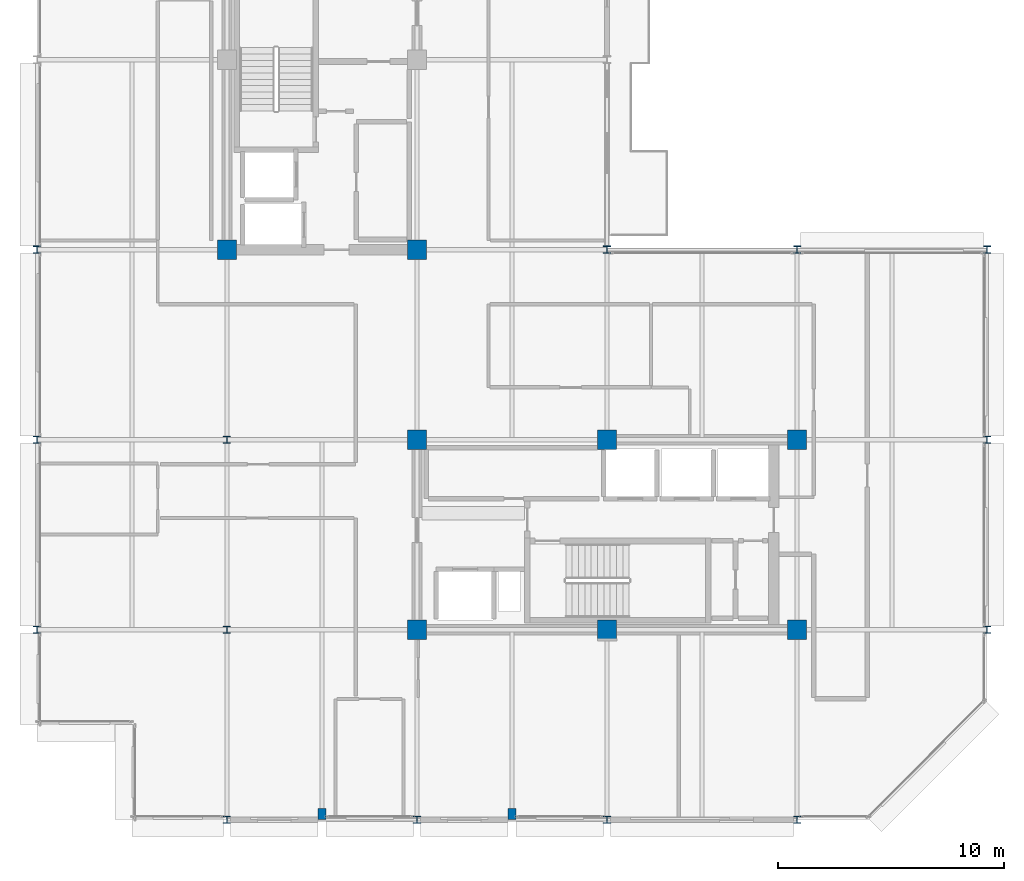
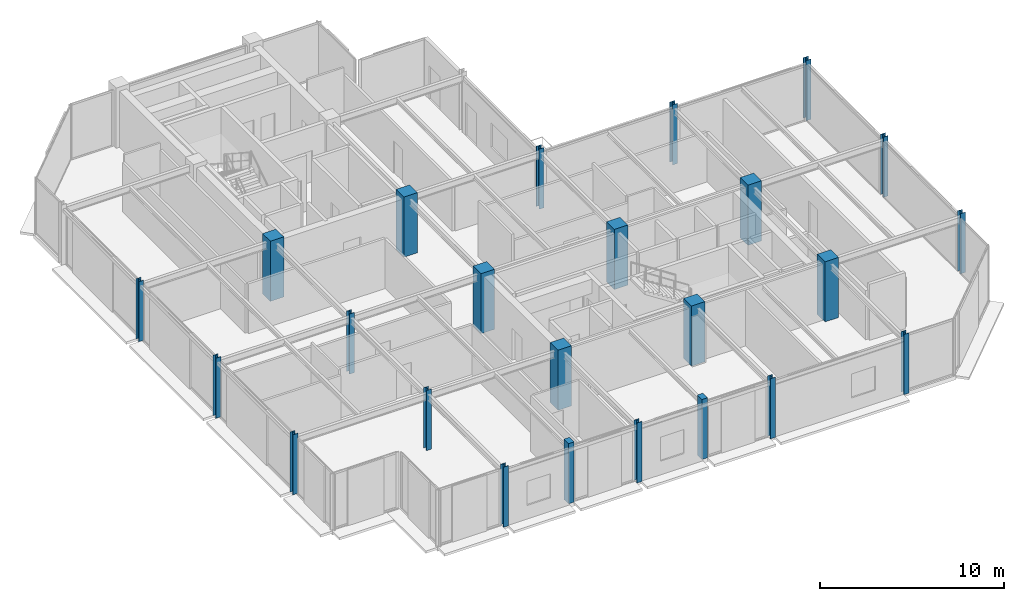
# One storey, part 1 of 27: 24 columns.
"""IFC4 building model written with IfcOpenShell, lengths in metres."""

from ifc_helpers import new_model, si_unit, direction, frame, origin, origin_2d, place, context, subcontext, project, spatial, rectangle, i_section, extrude, material, material_profile, profile_set, type_object, element, save


model = new_model("IFC4")

# Units and contexts
model_context = context("Model", 3, precision=1e-05, world=origin(), true_north=direction((0.0, 1.0)))
body_context = subcontext(model_context, "Body", "Model", "MODEL_VIEW")
ifc_project = project(units=[si_unit("LENGTHUNIT", "METRE"), si_unit("AREAUNIT", "SQUARE_METRE"), si_unit("VOLUMEUNIT", "CUBIC_METRE"), si_unit("PLANEANGLEUNIT", "RADIAN"), si_unit("MASSUNIT", "GRAM", prefix="KILO")], contexts=[model_context])

# Site, building, storey
site_placement = place(None, origin())
site = spatial("IfcSite", under=ifc_project, at=site_placement, CompositionType="ELEMENT")
building_placement = place(site_placement, origin())
building = spatial("IfcBuilding", under=site, at=building_placement, Name="Nerrivon Quay Data Exchange", CompositionType="ELEMENT")
storey_placement = place(building_placement, frame((0.0, 0.0, 266.199951171875)))
storey = spatial("IfcBuildingStorey", under=building, at=storey_placement, Name="L63", CompositionType="ELEMENT", Elevation=266.199951171875)

# Columns
ifc_material_1 = material(Name="Concrete N50 (50 MPa)", Category="concrete")
ifc_material_profile_1 = material_profile(ifc_material_1, rectangle(XDim=0.85009765625, YDim=0.85009765625, at=origin_2d()), Name="RC-COL-850x850")
ifc_profile_set_1 = profile_set([ifc_material_profile_1], Name="Concrete N50 (50 MPa)")
column_type_1 = type_object("IfcColumnType", Name="COL-C5-850", PredefinedType="COLUMN", material=ifc_profile_set_1)
for number, where, z_axis, x_axis, name in (
    (1, (8.39990234375, 25.199951171875, 0.0), (0.0, 0.0, 1.0), (1.0, 0.0, 0.0), "L63 Column (8.4,25.2)"),
    (2, (16.800048828125, 8.39990234375, 0.0), (0.0, 0.0, 1.0), (1.0, 0.0, 0.0), "L63 Column (16.8,8.4)"),
    (3, (16.800048828125, 16.800048828125, 0.0), (0.0, 0.0, 1.0), (1.0, 0.0, 0.0), "L63 Column (16.8,16.8)"),
    (4, (16.800048828125, 25.199951171875, 0.0), (0.0, 0.0, 1.0), (1.0, 0.0, 0.0), "L63 Column (16.8,25.2)"),
    (5, (25.199951171875, 8.39990234375, 0.0), (0.0, 0.0, 1.0), (1.0, 0.0, 0.0), "L63 Column (25.2,8.4)"),
    (6, (25.199951171875, 16.800048828125, 0.0), (0.0, 0.0, 1.0), (1.0, 0.0, 0.0), "L63 Column (25.2,16.8)"),
    (7, (33.60009765625, 8.39990234375, 0.0), (0.0, 0.0, 1.0), (1.0, 0.0, 0.0), "L63 Column (33.6,8.4)"),
    (8, (33.60009765625, 16.800048828125, 0.0), (0.0, 0.0, 1.0), (1.0, 0.0, 0.0), "L63 Column (33.6,16.8)"),
):
    element("IfcColumn", number, at=place(storey_placement, frame(where, z_axis=z_axis, x_axis=x_axis)), inside=storey, type_object=column_type_1, Name=name, PredefinedType="COLUMN", context=body_context, shape_type="SweptSolid", body=[
        extrude(rectangle(XDim=0.85009765625, YDim=0.85009765625, at=origin_2d()), origin(), (0.0, 0.0, 1.0), 4.0),
    ])
ifc_material_2 = material(Name="Steel Grade 350", Category="steel")
ifc_material_profile_2 = material_profile(ifc_material_2, i_section(OverallWidth=0.31103515625, OverallDepth=0.326904296875, WebThickness=0.015625, FlangeThickness=0.02490234375, FilletRadius=0.0166015625, at=origin_2d()), Name="310UC158")
ifc_profile_set_2 = profile_set([ifc_material_profile_2], Name="Steel Grade 350")
column_type_2 = type_object("IfcColumnType", Name="COL-SC4-310UC158", PredefinedType="COLUMN", material=ifc_profile_set_2)
for number, where, z_axis, x_axis, name in (
    (9, (0.0, 8.39990234375, 0.0), (0.0, 0.0, 1.0), (1.0, 0.0, 0.0), "L63 Column (0.0,8.4)"),
    (10, (0.0, 16.800048828125, 0.0), (0.0, 0.0, 1.0), (1.0, 0.0, 0.0), "L63 Column (0.0,16.8)"),
    (11, (0.0, 25.199951171875, 0.0), (0.0, 0.0, 1.0), (1.0, 0.0, 0.0), "L63 Column (0.0,25.2)"),
    (12, (8.39990234375, 0.0, 0.0), (0.0, 0.0, 1.0), (1.0, 0.0, 0.0), "L63 Column (8.4,0.0)"),
    (13, (8.39990234375, 8.39990234375, 0.0), (0.0, 0.0, 1.0), (1.0, 0.0, 0.0), "L63 Column (8.4,8.4)"),
    (14, (8.39990234375, 16.800048828125, 0.0), (0.0, 0.0, 1.0), (1.0, 0.0, 0.0), "L63 Column (8.4,16.8)"),
    (15, (16.800048828125, 0.0, 0.0), (0.0, 0.0, 1.0), (1.0, 0.0, 0.0), "L63 Column (16.8,0.0)"),
    (16, (25.199951171875, 0.0, 0.0), (0.0, 0.0, 1.0), (1.0, 0.0, 0.0), "L63 Column (25.2,0.0)"),
    (17, (25.199951171875, 25.199951171875, 0.0), (0.0, 0.0, 1.0), (1.0, 0.0, 0.0), "L63 Column (25.2,25.2)"),
    (18, (33.60009765625, 0.0, 0.0), (0.0, 0.0, 1.0), (1.0, 0.0, 0.0), "L63 Column (33.6,0.0)"),
    (19, (33.60009765625, 25.199951171875, 0.0), (0.0, 0.0, 1.0), (1.0, 0.0, 0.0), "L63 Column (33.6,25.2)"),
    (20, (42.0, 8.39990234375, 0.0), (0.0, 0.0, 1.0), (1.0, 0.0, 0.0), "L63 Column (42.0,8.4)"),
    (21, (42.0, 16.800048828125, 0.0), (0.0, 0.0, 1.0), (1.0, 0.0, 0.0), "L63 Column (42.0,16.8)"),
    (22, (42.0, 25.199951171875, 0.0), (0.0, 0.0, 1.0), (1.0, 0.0, 0.0), "L63 Column (42.0,25.2)"),
):
    element("IfcColumn", number, at=place(storey_placement, frame(where, z_axis=z_axis, x_axis=x_axis)), inside=storey, type_object=column_type_2, Name=name, PredefinedType="COLUMN", context=body_context, shape_type="SweptSolid", body=[
        extrude(i_section(OverallWidth=0.31103515625, OverallDepth=0.326904296875, WebThickness=0.015625, FlangeThickness=0.02490234375, FilletRadius=0.0166015625, at=origin_2d()), origin(), (0.0, 0.0, 1.0), 4.0),
    ])
ifc_material_profile_3 = material_profile(ifc_material_1, rectangle(XDim=0.35009765625, YDim=0.5, at=origin_2d()), Name="RC-PIL-500x350")
ifc_profile_set_3 = profile_set([ifc_material_profile_3], Name="Concrete N50 (50 MPa)")
column_type_3 = type_object("IfcColumnType", Name="PIL-P2-500x350", PredefinedType="PILASTER", material=ifc_profile_set_3)
for number, where, z_axis, x_axis, name in (
    (23, (12.60009765625, 0.25, 0.0), (0.0, 0.0, 1.0), (1.0, 0.0, 0.0), "L63 Facade Pilaster (12.6)"),
    (24, (21.0, 0.25, 0.0), (0.0, 0.0, 1.0), (1.0, 0.0, 0.0), "L63 Facade Pilaster (21.0)"),
):
    element("IfcColumn", number, at=place(storey_placement, frame(where, z_axis=z_axis, x_axis=x_axis)), inside=storey, type_object=column_type_3, Name=name, PredefinedType="PILASTER", context=body_context, shape_type="SweptSolid", body=[
        extrude(rectangle(XDim=0.35009765625, YDim=0.5, at=origin_2d()), origin(), (0.0, 0.0, 1.0), 4.0),
    ])

save(model, "model.ifc")
